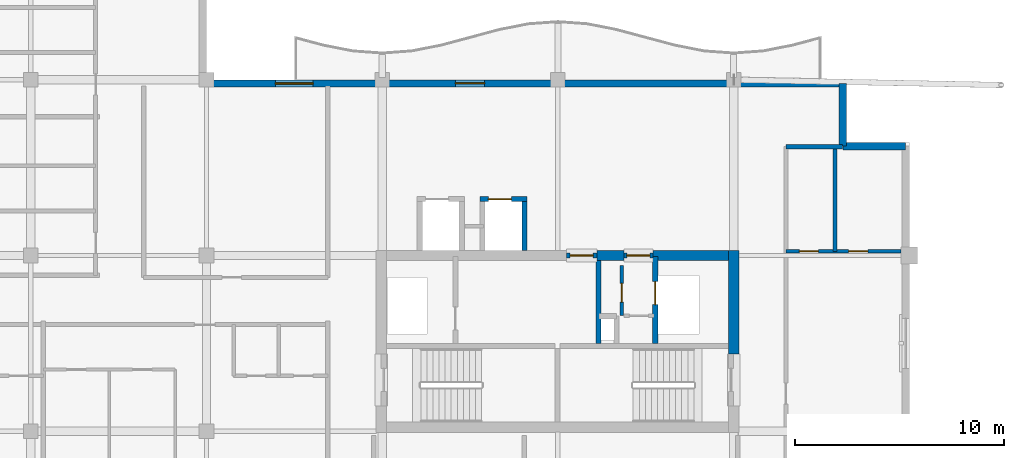
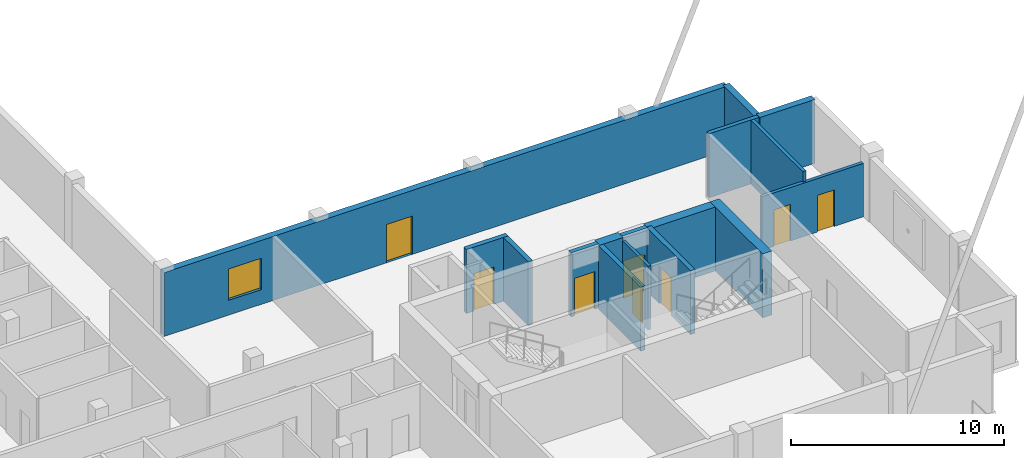
# One storey, part 9 of 17: 16 walls, 8 doors, 1 window, 9 openings.
"""IFC4 building model written with IfcOpenShell, lengths in metres."""

from ifc_helpers import new_model, si_unit, direction, frame, frame_2d, origin, place, context, subcontext, project, spatial, rectangle, extrude, material, layer, layer_set, type_object, element, fill, save


model = new_model("IFC4")

# Units and contexts
model_context = context("Model", 3, precision=1e-05, world=origin(), true_north=direction((0.0, 1.0)))
body_context = subcontext(model_context, "Body", "Model", "MODEL_VIEW")
ifc_project = project(units=[si_unit("LENGTHUNIT", "METRE"), si_unit("AREAUNIT", "SQUARE_METRE"), si_unit("VOLUMEUNIT", "CUBIC_METRE"), si_unit("PLANEANGLEUNIT", "RADIAN"), si_unit("MASSUNIT", "GRAM", prefix="KILO")], contexts=[model_context])

# Site, building, storey
site_placement = place(None, origin())
site = spatial("IfcSite", under=ifc_project, at=site_placement, CompositionType="ELEMENT")
building_placement = place(site_placement, origin())
building = spatial("IfcBuilding", under=site, at=building_placement, Name="Koriwani Terraces Tower", CompositionType="ELEMENT")
storey_placement = place(building_placement, frame((0.0, 0.0, 332.0)))
storey = spatial("IfcBuildingStorey", under=building, at=storey_placement, Name="L82", CompositionType="ELEMENT", Elevation=332.0)

# Walls
ifc_material_1 = material(Name="Concrete C50/60", Category="concrete")
ifc_layer_1 = layer(ifc_material_1, 0.5, Name="Concrete C50/60")
ifc_layer_set_1 = layer_set([ifc_layer_1], Name="Concrete C50/60")
wall_type_1 = type_object("IfcWallType", Name="WALL_CORE_RC_500", PredefinedType="SHEAR", material=ifc_layer_set_1)
wall_1_placement = place(storey_placement, frame((58.800048828125, 20.5, 0.0), z_axis=(0.0, 0.0, 1.0), x_axis=(0.0, 1.0, 0.0)))
element("IfcWall", 1, at=wall_1_placement, inside=storey, type_object=wall_type_1, Name="L82 East Split Core Shear Wall E2", PredefinedType="SHEAR", context=body_context, shape_type="SweptSolid", body=[
    extrude(rectangle(XDim=4.949951171875, YDim=0.5, at=frame_2d((2.47509765625, 0.0))), origin(), (0.0, 0.0, 1.0), 3.669921875),
])
wall_2_placement = place(storey_placement, frame((52.280029296875, 25.199951171875, 0.0), z_axis=(0.0, 0.0, 1.0), x_axis=(1.0, 0.0, 0.0)))
element("IfcWall", 2, at=wall_2_placement, inside=storey, type_object=wall_type_1, Name="L82 East Split Core Shear Wall N2", PredefinedType="SHEAR", context=body_context, shape_type="SweptSolid", body=[
    extrude(rectangle(XDim=1.27001953125, YDim=0.5, at=frame_2d((0.635009765625, 0.0))), origin(), (0.0, 0.0, 1.0), 3.669921875),
])
wall_3_placement = place(storey_placement, frame((54.949951171875, 25.199951171875, 0.0), z_axis=(0.0, 0.0, 1.0), x_axis=(1.0, 0.0, 0.0)))
element("IfcWall", 3, at=wall_3_placement, inside=storey, type_object=wall_type_1, Name="L82 East Split Core Shear Wall N3", PredefinedType="SHEAR", context=body_context, shape_type="SweptSolid", body=[
    extrude(rectangle(XDim=3.60009765625, YDim=0.5, at=frame_2d((1.800048828125, 0.0))), origin(), (0.0, 0.0, 1.0), 3.669921875),
])
ifc_material_2 = material(Name="Autoclaved Cellular Concrete Blockwork", Category="masonry")
ifc_layer_2 = layer(ifc_material_2, 0.219970703125, Name="Autoclaved Cellular Concrete Blockwork")
ifc_layer_set_2 = layer_set([ifc_layer_2], Name="Autoclaved Cellular Concrete Blockwork")
wall_type_2 = type_object("IfcWallType", Name="WALL_DEMISING_220", PredefinedType="PARTITIONING", material=ifc_layer_set_2)
wall_4_placement = place(storey_placement, frame((61.300048828125, 30.39990234375, 0.0), z_axis=(0.0, 0.0, 1.0), x_axis=(1.0, 0.0, 0.0)))
element("IfcWall", 4, at=wall_4_placement, inside=storey, type_object=wall_type_2, Name="L82 Interior Wall WET-N-L82", PredefinedType="PARTITIONING", context=body_context, shape_type="SweptSolid", body=[
    extrude(rectangle(XDim=2.699951171875, YDim=0.219970703125, at=frame_2d((1.35009765625, 0.0))), origin(), (0.0, 0.0, 1.0), 3.669921875),
])

# Wall, openings, door, window
ifc_layer_3 = layer(ifc_material_1, 0.35009765625, Name="Concrete C50/60")
ifc_layer_set_3 = layer_set([ifc_layer_3], Name="Concrete C50/60")
wall_type_3 = type_object("IfcWallType", Name="WALL_EXT_BRUTALIST_350", PredefinedType="STANDARD", material=ifc_layer_set_3)
wall_5_placement = place(storey_placement, frame((33.425048828125, 33.425048828125, 0.0), z_axis=(0.0, 0.0, 1.0), x_axis=(1.0, 0.0, 0.0)))
wall_5 = element("IfcWall", 5, at=wall_5_placement, inside=storey, type_object=wall_type_3, Name="L82 Fair-Faced Brutalist Exterior Wall (NE)", PredefinedType="STANDARD", context=body_context, shape_type="SweptSolid", body=[
    extrude(rectangle(XDim=30.599853515625, YDim=0.35009765625, at=frame_2d((15.2998046875, 0.0))), origin(), (0.0, 0.0, 1.0), 3.669921875),
])
opening_1_placement = place(wall_5_placement, frame((12.074951171875, 0.0, 0.0)))
opening_1 = element("IfcOpeningElement", 6, at=opening_1_placement, cuts=wall_5, Name="Opening D-09", PredefinedType="OPENING", context=body_context, shape_type="SweptSolid", body=[
    extrude(rectangle(XDim=1.39990234375, YDim=2.199951171875, at=frame_2d((0.699951171875, 1.10009765625))), frame((0.0, 0.18505859375, 0.0), z_axis=(0.0, -1.0, 0.0), x_axis=(1.0, 0.0, 0.0)), (0.0, 0.0, 1.0), 0.3701171875),
])
opening_2_placement = place(wall_5_placement, frame((3.47509765625, 0.0, 0.85009765625)))
opening_2 = element("IfcOpeningElement", 7, at=opening_2_placement, cuts=wall_5, Name="Opening W-04", PredefinedType="OPENING", context=body_context, shape_type="SweptSolid", body=[
    extrude(rectangle(XDim=1.800048828125, YDim=1.800048828125, at=frame_2d((0.89990234375, 0.89990234375))), frame((0.0, 0.18505859375, 0.0), z_axis=(0.0, -1.0, 0.0), x_axis=(1.0, 0.0, 0.0)), (0.0, 0.0, 1.0), 0.3701171875),
])
ifc_material_3 = material(Name="Anodised Bronze Aluminium", Category="aluminium")
door_type_1 = type_object("IfcDoorType", Name="DOOR_BALCONY_GLAZED_1400X2200", OperationType="NOTDEFINED", PredefinedType="DOOR", material=ifc_material_3)
door_1_placement = place(opening_1_placement, origin())
door_1 = element("IfcDoor", 8, at=door_1_placement, inside=storey, type_object=door_type_1, Name="L82 Inner Court Balcony Glazed Door", OperationType="SINGLE_SWING_LEFT", OverallHeight=2.199951171875, OverallWidth=1.39990234375, PredefinedType="DOOR", context=body_context, shape_type="SweptSolid", body=[
    extrude(rectangle(XDim=1.39990234375, YDim=2.199951171875, at=frame_2d((0.699951171875, 1.10009765625))), frame((0.0, 0.02490234375, 0.0), z_axis=(0.0, -1.0, 0.0), x_axis=(1.0, 0.0, 0.0)), (0.0, 0.0, 1.0), 0.050048828125),
])
fill(opening_1, door_1)
ifc_material_4 = material(Name="Tempered Laminated Low-E Glass", Category="glass")
window_type = type_object("IfcWindowType", Name="WIN_RES_BED_1800X1800", PartitioningType="DOUBLE_PANEL_VERTICAL", PredefinedType="WINDOW", material=ifc_material_4)
window_placement = place(opening_2_placement, origin())
window = element("IfcWindow", 9, at=window_placement, inside=storey, type_object=window_type, Name="L82 Exterior Window (NE-2)", OverallHeight=1.800048828125, OverallWidth=1.800048828125, PartitioningType="SINGLE_PANEL", PredefinedType="WINDOW", context=body_context, shape_type="SweptSolid", body=[
    extrude(rectangle(XDim=1.800048828125, YDim=1.800048828125, at=frame_2d((0.89990234375, 0.89990234375))), frame((0.0, 0.030029296875, 0.0), z_axis=(0.0, -1.0, 0.0), x_axis=(1.0, 0.0, 0.0)), (0.0, 0.0, 1.0), 0.06005859375),
])
fill(opening_2, window)

# Walls
for number, where, z_axis, x_axis, name in (
    (10, (64.02490234375, 33.425048828125, 0.0), (0.0, 0.0, 1.0), (0.0, -1.0, 0.0), "L82 Fair-Faced Brutalist Exterior Wall (N10)"),
    (11, (64.02490234375, 30.425048828125, 0.0), (0.0, 0.0, 1.0), (1.0, 0.0, 0.0), "L82 Fair-Faced Brutalist Exterior Wall (N11)"),
):
    element("IfcWall", number, at=place(storey_placement, frame(where, z_axis=z_axis, x_axis=x_axis)), inside=storey, type_object=wall_type_3, Name=name, PredefinedType="STANDARD", context=body_context, shape_type="SweptSolid", body=[
        extrude(rectangle(XDim=3.0, YDim=0.35009765625, at=frame_2d((1.5, 0.0))), origin(), (0.0, 0.0, 1.0), 3.669921875),
    ])

# Wall, openings, doors
ifc_material_5 = material(Name="Fire-Rated Acoustic Gypsum Partition", Category="masonry")
ifc_layer_4 = layer(ifc_material_5, 0.179931640625, Name="Fire-Rated Acoustic Gypsum Partition")
ifc_layer_set_4 = layer_set([ifc_layer_4], Name="Fire-Rated Acoustic Gypsum Partition")
wall_type_4 = type_object("IfcWallType", Name="WALL_PLUMBING_180", PredefinedType="PLUMBINGWALL", material=ifc_layer_set_4)
wall_6_placement = place(storey_placement, frame((61.300048828125, 25.39990234375, 0.0), z_axis=(0.0, 0.0, 1.0), x_axis=(1.0, 0.0, 0.0)))
wall_6 = element("IfcWall", 12, at=wall_6_placement, inside=storey, type_object=wall_type_4, Name="L82 Interior Wall WET-SVB-L82", PredefinedType="PLUMBINGWALL", context=body_context, shape_type="SweptSolid", body=[
    extrude(rectangle(XDim=5.5, YDim=0.179931640625, at=frame_2d((2.75, 0.0))), origin(), (0.0, 0.0, 1.0), 3.070068359375),
])
opening_3_placement = place(wall_6_placement, frame((0.64990234375, 0.0, 0.0)))
opening_3 = element("IfcOpeningElement", 13, at=opening_3_placement, cuts=wall_6, Name="Opening D-07", PredefinedType="OPENING", context=body_context, shape_type="SweptSolid", body=[
    extrude(rectangle(XDim=0.89990234375, YDim=2.10009765625, at=frame_2d((0.449951171875, 1.050048828125))), frame((0.0, 0.10009765625, 0.0), z_axis=(0.0, -1.0, 0.0), x_axis=(1.0, 0.0, 0.0)), (0.0, 0.0, 1.0), 0.199951171875),
])
opening_4_placement = place(wall_6_placement, frame((3.0, 0.0, 0.0)))
opening_4 = element("IfcOpeningElement", 14, at=opening_4_placement, cuts=wall_6, Name="Opening D-06", PredefinedType="OPENING", context=body_context, shape_type="SweptSolid", body=[
    extrude(rectangle(XDim=0.919921875, YDim=2.10009765625, at=frame_2d((0.4599609375, 1.050048828125))), frame((0.0, 0.10009765625, 0.0), z_axis=(0.0, -1.0, 0.0), x_axis=(1.0, 0.0, 0.0)), (0.0, 0.0, 1.0), 0.199951171875),
])
ifc_material_6 = material(Name="Architectural Oak Fire Door", Category="wood")
door_type_2 = type_object("IfcDoorType", Name="DOOR_BATH_INT_900X2100", OperationType="NOTDEFINED", PredefinedType="DOOR", material=ifc_material_6)
door_2_placement = place(opening_3_placement, origin())
door_2 = element("IfcDoor", 15, at=door_2_placement, inside=storey, type_object=door_type_2, Name="Apartment 82ET Bathroom Door", OperationType="SINGLE_SWING_LEFT", OverallHeight=2.10009765625, OverallWidth=0.89990234375, PredefinedType="DOOR", context=body_context, shape_type="SweptSolid", body=[
    extrude(rectangle(XDim=0.89990234375, YDim=2.10009765625, at=frame_2d((0.449951171875, 1.050048828125))), frame((0.0, 0.02490234375, 0.0), z_axis=(0.0, -1.0, 0.0), x_axis=(1.0, 0.0, 0.0)), (0.0, 0.0, 1.0), 0.050048828125),
])
fill(opening_3, door_2)
door_type_3 = type_object("IfcDoorType", Name="DOOR_ROOM_INT_920X2100", OperationType="NOTDEFINED", PredefinedType="DOOR", material=ifc_material_6)
door_3_placement = place(opening_4_placement, origin())
door_3 = element("IfcDoor", 16, at=door_3_placement, inside=storey, type_object=door_type_3, Name="Apartment 82ET Kitchen Door", OperationType="SINGLE_SWING_RIGHT", OverallHeight=2.10009765625, OverallWidth=0.919921875, PredefinedType="DOOR", context=body_context, shape_type="SweptSolid", body=[
    extrude(rectangle(XDim=0.919921875, YDim=2.10009765625, at=frame_2d((0.4599609375, 1.050048828125))), frame((0.0, 0.02490234375, 0.0), z_axis=(0.0, -1.0, 0.0), x_axis=(1.0, 0.0, 0.0)), (0.0, 0.0, 1.0), 0.050048828125),
])
fill(opening_4, door_3)

# Wall
wall_7_placement = place(storey_placement, frame((63.64990234375, 25.39990234375, 0.0), z_axis=(0.0, 0.0, 1.0), x_axis=(0.0, 1.0, 0.0)))
element("IfcWall", 17, at=wall_7_placement, inside=storey, type_object=wall_type_4, Name="L82 Interior Wall WET-SVCM-L82", PredefinedType="PLUMBINGWALL", context=body_context, shape_type="SweptSolid", body=[
    extrude(rectangle(XDim=5.0, YDim=0.179931640625, at=frame_2d((2.5, 0.0))), origin(), (0.0, 0.0, 1.0), 3.669921875),
])

# Wall, opening, door
ifc_material_7 = material(Name="Concrete C40/50", Category="concrete")
ifc_layer_5 = layer(ifc_material_7, 0.25, Name="Concrete C40/50")
ifc_layer_set_5 = layer_set([ifc_layer_5], Name="Concrete C40/50")
wall_type_5 = type_object("IfcWallType", Name="WALL_SHAFT_RATED_250", PredefinedType="SOLIDWALL", material=ifc_layer_set_5)
wall_8_placement = place(storey_placement, frame((50.800048828125, 25.199951171875, 0.0), z_axis=(0.0, 0.0, 1.0), x_axis=(1.0, 0.0, 0.0)))
wall_8 = element("IfcWall", 18, at=wall_8_placement, inside=storey, type_object=wall_type_5, Name="L82 Interior Wall WIN-CE-L82-NP", PredefinedType="SOLIDWALL", context=body_context, shape_type="SweptSolid", body=[
    extrude(rectangle(XDim=1.47998046875, YDim=0.25, at=frame_2d((0.739990234375, 0.0))), origin(), (0.0, 0.0, 1.0), 3.669921875),
])
opening_5_placement = place(wall_8_placement, frame((0.179931640625, 0.0, 0.0)))
opening_5 = element("IfcOpeningElement", 19, at=opening_5_placement, cuts=wall_8, Name="Opening D-03", PredefinedType="OPENING", context=body_context, shape_type="SweptSolid", body=[
    extrude(rectangle(XDim=1.10009765625, YDim=2.14990234375, at=frame_2d((0.550048828125, 1.074951171875))), frame((0.0, 0.135009765625, 0.0), z_axis=(0.0, -1.0, 0.0), x_axis=(1.0, 0.0, 0.0)), (0.0, 0.0, 1.0), 0.27001953125),
])
ifc_material_8 = material(Name="Steel ASTM A572 Grade 50", Category="steel")
door_type_4 = type_object("IfcDoorType", Name="DOOR_STAIR_FIRE_1100X2150", OperationType="NOTDEFINED", PredefinedType="DOOR", material=ifc_material_8)
door_4_placement = place(opening_5_placement, origin())
door_4 = element("IfcDoor", 20, at=door_4_placement, inside=storey, type_object=door_type_4, Name="L82 East Firefighting Lobby Door", OperationType="SINGLE_SWING_RIGHT", OverallHeight=2.14990234375, OverallWidth=1.10009765625, PredefinedType="DOOR", context=body_context, shape_type="SweptSolid", body=[
    extrude(rectangle(XDim=1.10009765625, YDim=2.14990234375, at=frame_2d((0.550048828125, 1.074951171875))), frame((0.0, 0.02490234375, 0.0), z_axis=(0.0, -1.0, 0.0), x_axis=(1.0, 0.0, 0.0)), (0.0, 0.0, 1.0), 0.050048828125),
])
fill(opening_5, door_4)

# Wall
wall_9_placement = place(storey_placement, frame((52.340087890625, 21.0, 0.0), z_axis=(0.0, 0.0, 1.0), x_axis=(0.0, 1.0, 0.0)))
element("IfcWall", 21, at=wall_9_placement, inside=storey, type_object=wall_type_5, Name="L82 Interior Wall WIN-CE-L82-FFE", PredefinedType="SOLIDWALL", context=body_context, shape_type="SweptSolid", body=[
    extrude(rectangle(XDim=3.949951171875, YDim=0.25, at=frame_2d((1.97509765625, 0.0))), origin(), (0.0, 0.0, 1.0), 3.669921875),
])

# Wall, opening, door
wall_10_placement = place(storey_placement, frame((55.050048828125, 21.0, 0.0), z_axis=(0.0, 0.0, 1.0), x_axis=(0.0, 1.0, 0.0)))
wall_10 = element("IfcWall", 22, at=wall_10_placement, inside=storey, type_object=wall_type_5, Name="L82 Interior Wall WIN-CE-L82-SE", PredefinedType="SOLIDWALL", context=body_context, shape_type="SweptSolid", body=[
    extrude(rectangle(XDim=4.14990234375, YDim=0.25, at=frame_2d((2.074951171875, 0.0))), origin(), (0.0, 0.0, 1.0), 3.669921875),
])
opening_6_placement = place(wall_10_placement, frame((1.85009765625, 0.0, 0.0)))
opening_6 = element("IfcOpeningElement", 23, at=opening_6_placement, cuts=wall_10, Name="Opening LD-01", PredefinedType="OPENING", context=body_context, shape_type="SweptSolid", body=[
    extrude(rectangle(XDim=1.10009765625, YDim=2.14990234375, at=frame_2d((0.550048828125, 1.074951171875))), frame((0.0, 0.135009765625, 0.0), z_axis=(0.0, -1.0, 0.0), x_axis=(1.0, 0.0, 0.0)), (0.0, 0.0, 1.0), 0.27001953125),
])
door_type_5 = type_object("IfcDoorType", Name="DOOR_LIFT_LANDING_1100X2200", OperationType="NOTDEFINED", PredefinedType="DOOR", material=ifc_material_8)
door_5_placement = place(opening_6_placement, origin())
door_5 = element("IfcDoor", 24, at=door_5_placement, inside=storey, type_object=door_type_5, Name="L82 Goods Lift SE-02 Landing Door", OperationType="SLIDING_TO_LEFT", OverallHeight=2.14990234375, OverallWidth=1.10009765625, PredefinedType="DOOR", context=body_context, shape_type="SweptSolid", body=[
    extrude(rectangle(XDim=1.10009765625, YDim=2.14990234375, at=frame_2d((0.550048828125, 1.074951171875))), frame((0.0, 0.02490234375, 0.0), z_axis=(0.0, -1.0, 0.0), x_axis=(1.0, 0.0, 0.0)), (0.0, 0.0, 1.0), 0.050048828125),
])
fill(opening_6, door_5)

wall_11_placement = place(storey_placement, frame((53.550048828125, 25.199951171875, 0.0), z_axis=(0.0, 0.0, 1.0), x_axis=(1.0, 0.0, 0.0)))
wall_11 = element("IfcWall", 25, at=wall_11_placement, inside=storey, type_object=wall_type_5, Name="L82 Interior Wall WIN-CE-L82-NP2", PredefinedType="SOLIDWALL", context=body_context, shape_type="SweptSolid", body=[
    extrude(rectangle(XDim=1.39990234375, YDim=0.25, at=frame_2d((0.699951171875, 0.0))), origin(), (0.0, 0.0, 1.0), 3.669921875),
])
opening_7_placement = place(wall_11_placement, frame((0.14990234375, 0.0, 0.0)))
opening_7 = element("IfcOpeningElement", 26, at=opening_7_placement, cuts=wall_11, Name="Opening D-03", PredefinedType="OPENING", context=body_context, shape_type="SweptSolid", body=[
    extrude(rectangle(XDim=1.10009765625, YDim=2.14990234375, at=frame_2d((0.550048828125, 1.074951171875))), frame((0.0, 0.135009765625, 0.0), z_axis=(0.0, -1.0, 0.0), x_axis=(1.0, 0.0, 0.0)), (0.0, 0.0, 1.0), 0.27001953125),
])
door_6_placement = place(opening_7_placement, origin())
door_6 = element("IfcDoor", 27, at=door_6_placement, inside=storey, type_object=door_type_4, Name="L82 East Goods Lift Lobby Door", OperationType="SINGLE_SWING_LEFT", OverallHeight=2.14990234375, OverallWidth=1.10009765625, PredefinedType="DOOR", context=body_context, shape_type="SweptSolid", body=[
    extrude(rectangle(XDim=1.10009765625, YDim=2.14990234375, at=frame_2d((0.550048828125, 1.074951171875))), frame((0.0, 0.02490234375, 0.0), z_axis=(0.0, -1.0, 0.0), x_axis=(1.0, 0.0, 0.0)), (0.0, 0.0, 1.0), 0.050048828125),
])
fill(opening_7, door_6)

wall_12_placement = place(storey_placement, frame((46.675048828125, 27.89990234375, 0.0), z_axis=(0.0, 0.0, 1.0), x_axis=(1.0, 0.0, 0.0)))
wall_12 = element("IfcWall", 28, at=wall_12_placement, inside=storey, type_object=wall_type_5, Name="L82 Interior Wall WIN-LF-PE-H4-L82-F", PredefinedType="SOLIDWALL", context=body_context, shape_type="SweptSolid", body=[
    extrude(rectangle(XDim=2.25, YDim=0.25, at=frame_2d((1.125, 0.0))), origin(), (0.0, 0.0, 1.0), 3.669921875),
])
opening_8_placement = place(wall_12_placement, frame((0.39990234375, 0.0, 0.0)))
opening_8 = element("IfcOpeningElement", 29, at=opening_8_placement, cuts=wall_12, Name="Opening LD-01", PredefinedType="OPENING", context=body_context, shape_type="SweptSolid", body=[
    extrude(rectangle(XDim=1.10009765625, YDim=2.14990234375, at=frame_2d((0.550048828125, 1.074951171875))), frame((0.0, 0.135009765625, 0.0), z_axis=(0.0, -1.0, 0.0), x_axis=(1.0, 0.0, 0.0)), (0.0, 0.0, 1.0), 0.27001953125),
])
door_7_placement = place(opening_8_placement, origin())
door_7 = element("IfcDoor", 30, at=door_7_placement, inside=storey, type_object=door_type_5, Name="L82 Passenger Lift PE-H4 Landing Door", OperationType="SLIDING_TO_LEFT", OverallHeight=2.14990234375, OverallWidth=1.10009765625, PredefinedType="DOOR", context=body_context, shape_type="SweptSolid", body=[
    extrude(rectangle(XDim=1.10009765625, YDim=2.14990234375, at=frame_2d((0.550048828125, 1.074951171875))), frame((0.0, 0.02490234375, 0.0), z_axis=(0.0, -1.0, 0.0), x_axis=(1.0, 0.0, 0.0)), (0.0, 0.0, 1.0), 0.050048828125),
])
fill(opening_8, door_7)

# Wall
wall_13_placement = place(storey_placement, frame((48.800048828125, 25.449951171875, 0.0), z_axis=(0.0, 0.0, 1.0), x_axis=(0.0, 1.0, 0.0)))
element("IfcWall", 31, at=wall_13_placement, inside=storey, type_object=wall_type_5, Name="L82 Interior Wall WIN-LF-PE-H4-L82-E", PredefinedType="SOLIDWALL", context=body_context, shape_type="SweptSolid", body=[
    extrude(rectangle(XDim=2.324951171875, YDim=0.25, at=frame_2d((1.16259765625, 0.0))), origin(), (0.0, 0.0, 1.0), 3.669921875),
])

# Wall, opening, door
ifc_layer_6 = layer(ifc_material_5, 0.159912109375, Name="Fire-Rated Acoustic Gypsum Partition")
ifc_layer_set_6 = layer_set([ifc_layer_6], Name="Fire-Rated Acoustic Gypsum Partition")
wall_type_6 = type_object("IfcWallType", Name="WALL_SUITE_160", PredefinedType="PARTITIONING", material=ifc_layer_set_6)
wall_14_placement = place(storey_placement, frame((53.4599609375, 22.320068359375, 0.0), z_axis=(0.0, 0.0, 1.0), x_axis=(0.0, 1.0, 0.0)))
wall_14 = element("IfcWall", 32, at=wall_14_placement, inside=storey, type_object=wall_type_6, Name="L82 Interior Wall WIN-CE-L82-SV1B", PredefinedType="PARTITIONING", context=body_context, shape_type="SweptSolid", body=[
    extrude(rectangle(XDim=2.39990234375, YDim=0.159912109375, at=frame_2d((1.199951171875, 0.0))), origin(), (0.0, 0.0, 1.0), 3.669921875),
])
opening_9_placement = place(wall_14_placement, frame((0.64990234375, 0.0, 0.0)))
opening_9 = element("IfcOpeningElement", 33, at=opening_9_placement, cuts=wall_14, Name="Opening D-07", PredefinedType="OPENING", context=body_context, shape_type="SweptSolid", body=[
    extrude(rectangle(XDim=0.89990234375, YDim=2.10009765625, at=frame_2d((0.449951171875, 1.050048828125))), frame((0.0, 0.08984375, 0.0), z_axis=(0.0, -1.0, 0.0), x_axis=(1.0, 0.0, 0.0)), (0.0, 0.0, 1.0), 0.179931640625),
])
door_8_placement = place(opening_9_placement, origin())
door_8 = element("IfcDoor", 34, at=door_8_placement, inside=storey, type_object=door_type_2, Name="L82 East Cleaners Closet Door", OperationType="SINGLE_SWING_LEFT", OverallHeight=2.10009765625, OverallWidth=0.89990234375, PredefinedType="DOOR", context=body_context, shape_type="SweptSolid", body=[
    extrude(rectangle(XDim=0.89990234375, YDim=2.10009765625, at=frame_2d((0.449951171875, 1.050048828125))), frame((0.0, 0.02490234375, 0.0), z_axis=(0.0, -1.0, 0.0), x_axis=(1.0, 0.0, 0.0)), (0.0, 0.0, 1.0), 0.050048828125),
])
fill(opening_9, door_8)

save(model, "model.ifc")
